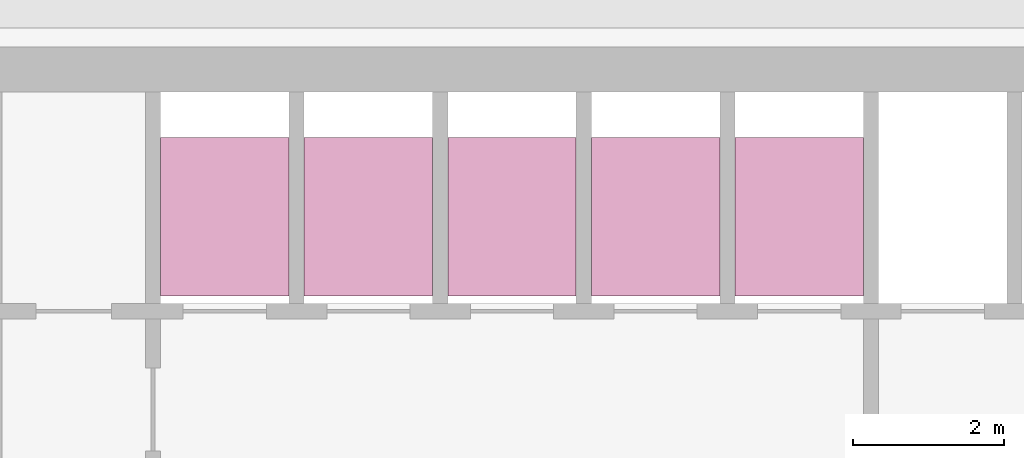
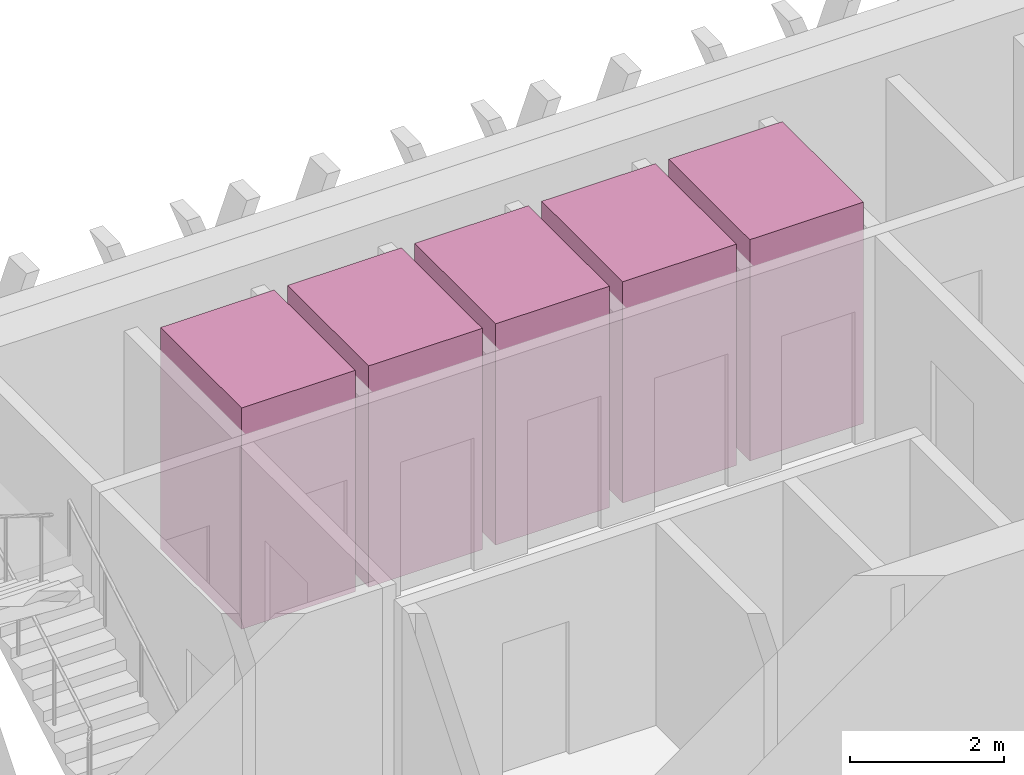
# One storey, part 14 of 14: 5 transport elements.
"""IFC4 building model written with IfcOpenShell, lengths in metres."""

from ifc_helpers import new_model, si_unit, direction, frame, origin, origin_2d, place, context, subcontext, project, spatial, rectangle, extrude, material, type_object, element, save


model = new_model("IFC4")

# Units and contexts
model_context = context("Model", 3, precision=1e-05, world=origin(), true_north=direction((0.0, 1.0)))
body_context = subcontext(model_context, "Body", "Model", "MODEL_VIEW")
ifc_project = project(units=[si_unit("LENGTHUNIT", "METRE"), si_unit("AREAUNIT", "SQUARE_METRE"), si_unit("VOLUMEUNIT", "CUBIC_METRE"), si_unit("PLANEANGLEUNIT", "RADIAN"), si_unit("MASSUNIT", "GRAM", prefix="KILO")], contexts=[model_context])

# Site, building, storey
site_placement = place(None, origin())
site = spatial("IfcSite", under=ifc_project, at=site_placement, CompositionType="ELEMENT")
building_placement = place(site_placement, origin())
building = spatial("IfcBuilding", under=site, at=building_placement, Name="Altiplano Prism Tower", CompositionType="ELEMENT")
storey_placement = place(building_placement, frame((0.0, 0.0, 226.60009765625)))
storey = spatial("IfcBuildingStorey", under=building, at=storey_placement, Name="L58", CompositionType="ELEMENT", Elevation=226.60009765625)

# Transport elements
ifc_material = material(Name="Stainless steel lift car", Category="steel")
transport_element_type = type_object("IfcTransportElementType", Name="Passenger lift car 1600 x 2100", PredefinedType="ELEVATOR", material=ifc_material)
for number, where, z_axis, x_axis, name in (
    (1, (79.050048828125, 101.75, 0.0498046875), (0.0, 0.0, 1.0), (1.0, 0.0, 0.0), "Mid Zone Passenger Lift 1"),
    (2, (80.949951171875, 101.75, 0.0498046875), (0.0, 0.0, 1.0), (1.0, 0.0, 0.0), "Mid Zone Passenger Lift 2"),
    (3, (82.85009765625, 101.75, 0.0498046875), (0.0, 0.0, 1.0), (1.0, 0.0, 0.0), "Mid Zone Passenger Lift 3"),
    (4, (84.75, 101.75, 0.0498046875), (0.0, 0.0, 1.0), (1.0, 0.0, 0.0), "Mid Zone Passenger Lift 4"),
    (5, (86.64990234375, 101.75, 0.0498046875), (0.0, 0.0, 1.0), (1.0, 0.0, 0.0), "Mid Zone Passenger Lift 5"),
):
    element("IfcTransportElement", number, at=place(storey_placement, frame(where, z_axis=z_axis, x_axis=x_axis)), inside=storey, type_object=transport_element_type, Name=name, PredefinedType="ELEVATOR", context=body_context, shape_type="SweptSolid", body=[
        extrude(rectangle(XDim=1.699951171875, YDim=2.10009765625, at=origin_2d()), origin(), (0.0, 0.0, 1.0), 3.5),
    ])

save(model, "model.ifc")
